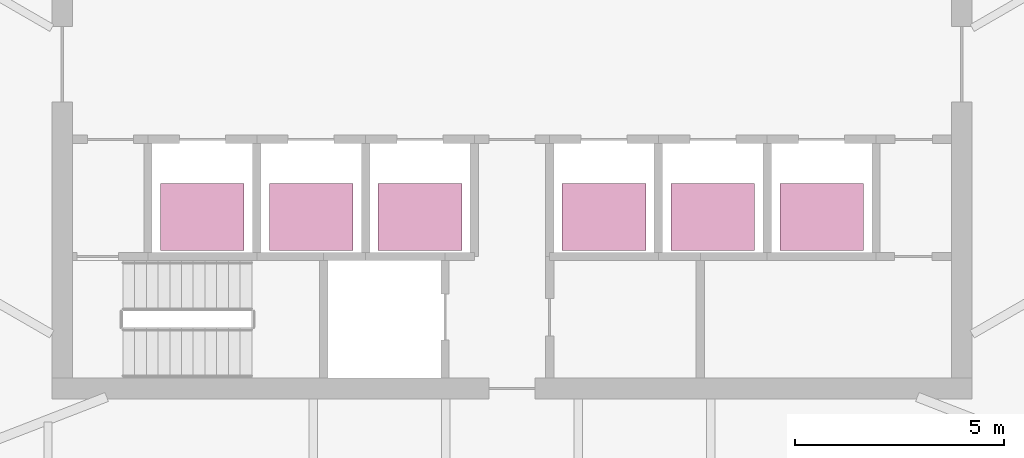
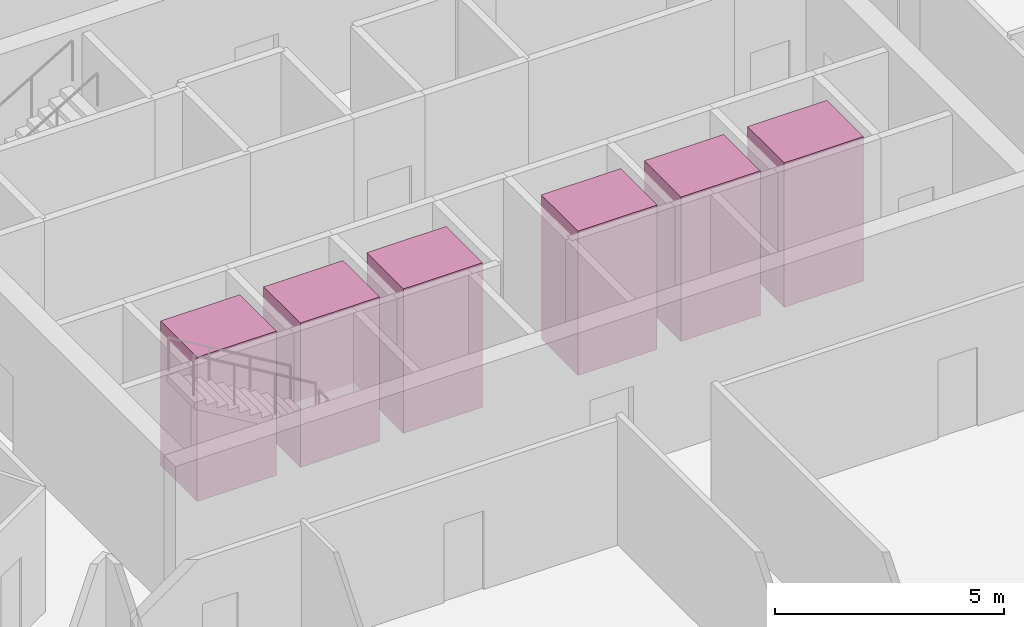
# One storey, part 19 of 19: 6 transport elements.
"""IFC4 building model written with IfcOpenShell, lengths in metres."""

from ifc_helpers import new_model, si_unit, direction, frame, origin, origin_2d, place, context, subcontext, project, spatial, rectangle, extrude, material, type_object, element, save


model = new_model("IFC4")

# Units and contexts
model_context = context("Model", 3, precision=1e-05, world=origin(), true_north=direction((0.0, 1.0)))
body_context = subcontext(model_context, "Body", "Model", "MODEL_VIEW")
ifc_project = project(units=[si_unit("LENGTHUNIT", "METRE"), si_unit("AREAUNIT", "SQUARE_METRE"), si_unit("VOLUMEUNIT", "CUBIC_METRE"), si_unit("PLANEANGLEUNIT", "RADIAN"), si_unit("MASSUNIT", "GRAM", prefix="KILO")], contexts=[model_context])

# Site, building, storey
site_placement = place(None, origin())
site = spatial("IfcSite", under=ifc_project, at=site_placement, CompositionType="ELEMENT")
building_placement = place(site_placement, origin())
building = spatial("IfcBuilding", under=site, at=building_placement, Name="Sierra Prisma Convention Tower", CompositionType="ELEMENT")
storey_placement = place(building_placement, frame((0.0, 0.0, 235.0)))
storey = spatial("IfcBuildingStorey", under=building, at=storey_placement, Name="L52", CompositionType="ELEMENT", Elevation=235.0)

# Transport elements
ifc_material = material(Name="Stainless steel", Category="steel")
transport_element_type = type_object("IfcTransportElementType", Name="Lift car office high 2000x1600 1600 kg", PredefinedType="ELEVATOR", material=ifc_material)
for number, where, z_axis, x_axis, name in (
    (1, (-7.39990234375, -3.64990234375, 0.0), (0.0, 0.0, 1.0), (1.0, 0.0, 0.0), "Lift OH1"),
    (2, (-4.800048828125, -3.64990234375, 0.0), (0.0, 0.0, 1.0), (1.0, 0.0, 0.0), "Lift OH2"),
    (3, (-2.199951171875, -3.64990234375, 0.0), (0.0, 0.0, 1.0), (1.0, 0.0, 0.0), "Lift OH3"),
    (4, (2.199951171875, -3.64990234375, 0.0), (0.0, 0.0, 1.0), (1.0, 0.0, 0.0), "Lift OH4"),
    (5, (4.800048828125, -3.64990234375, 0.0), (0.0, 0.0, 1.0), (1.0, 0.0, 0.0), "Lift OH5"),
    (6, (7.39990234375, -3.64990234375, 0.0), (0.0, 0.0, 1.0), (1.0, 0.0, 0.0), "Lift OH6"),
):
    element("IfcTransportElement", number, at=place(storey_placement, frame(where, z_axis=z_axis, x_axis=x_axis)), inside=storey, type_object=transport_element_type, Name=name, PredefinedType="ELEVATOR", context=body_context, shape_type="SweptSolid", body=[
        extrude(rectangle(XDim=2.0, YDim=1.60009765625, at=origin_2d()), origin(), (0.0, 0.0, 1.0), 3.85009765625),
    ])

save(model, "model.ifc")
